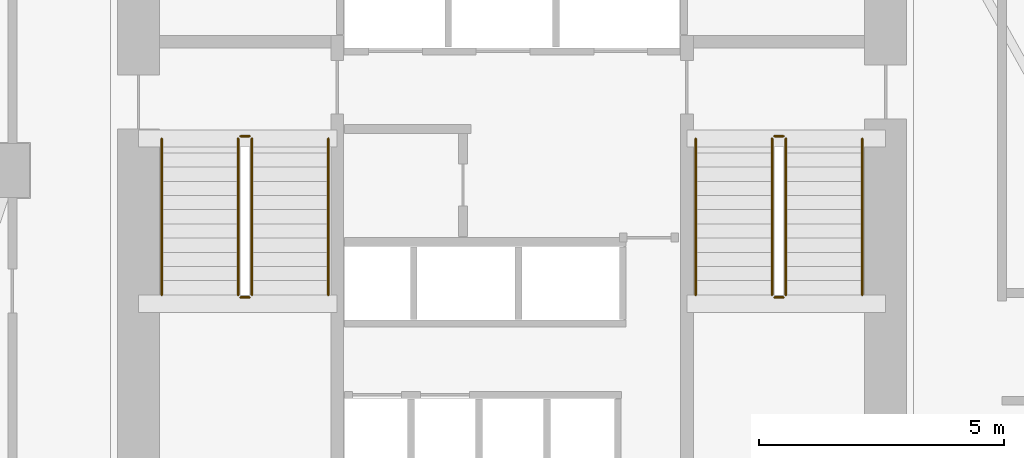
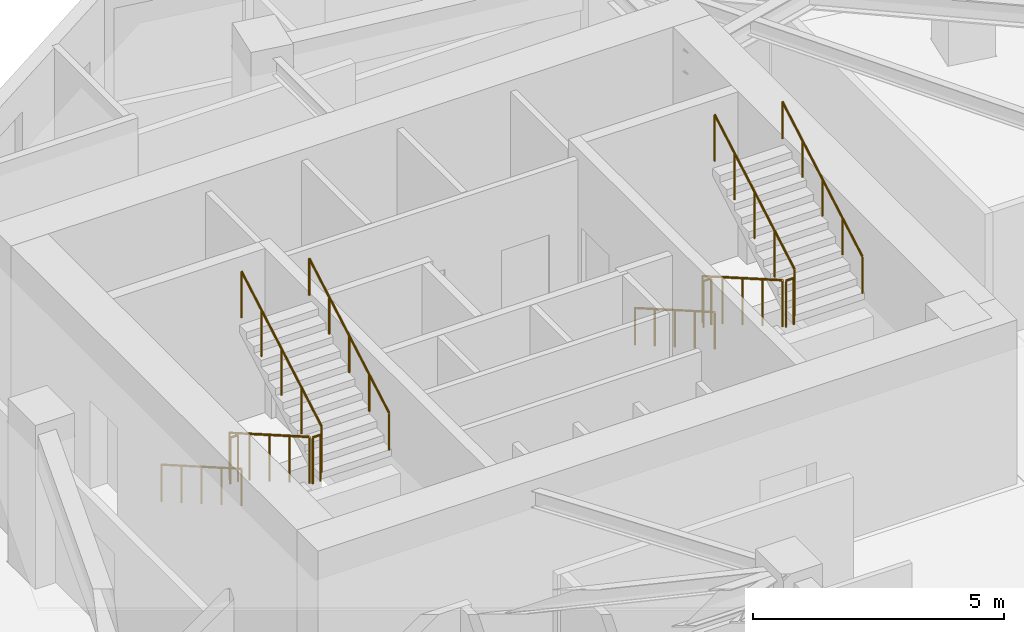
# One storey, part 11 of 12: 12 railings.
"""IFC4 building model written with IfcOpenShell, lengths in metres."""

from ifc_helpers import new_model, si_unit, direction, frame, origin, origin_2d, place, context, subcontext, project, spatial, circle, extrude, material, type_object, element, save


model = new_model("IFC4")

# Units and contexts
model_context = context("Model", 3, precision=1e-05, world=origin(), true_north=direction((0.0, 1.0)))
body_context = subcontext(model_context, "Body", "Model", "MODEL_VIEW")
ifc_project = project(units=[si_unit("LENGTHUNIT", "METRE"), si_unit("AREAUNIT", "SQUARE_METRE"), si_unit("VOLUMEUNIT", "CUBIC_METRE"), si_unit("PLANEANGLEUNIT", "RADIAN"), si_unit("MASSUNIT", "GRAM", prefix="KILO")], contexts=[model_context])

# Site, building, storey
site_placement = place(None, origin())
site = spatial("IfcSite", under=ifc_project, at=site_placement, CompositionType="ELEMENT")
building_placement = place(site_placement, origin())
building = spatial("IfcBuilding", under=site, at=building_placement, Name="Calvemar Wedge Station Tower", CompositionType="ELEMENT")
storey_placement = place(building_placement, frame((0.0, 0.0, 51.0)))
storey = spatial("IfcBuildingStorey", under=building, at=storey_placement, Name="L12", CompositionType="ELEMENT", Elevation=51.0)

# Railings
ifc_material_1 = material(Name="Stainless steel AISI 316L", Category="steel")
railing_type_1 = type_object("IfcRailingType", Name="RL-HANDRAIL-920", PredefinedType="HANDRAIL", material=ifc_material_1)
railing_1_placement = place(storey_placement, frame((16.64990234375, 41.14990234375, 0.166748046875)))
element("IfcRailing", 1, at=railing_1_placement, inside=storey, type_object=railing_type_1, Name="L12 ST-C1 stair handrail 1", PredefinedType="HANDRAIL", context=body_context, shape_type="SweptSolid", body=[
    extrude(circle(Radius=0.02392578125, at=origin_2d()), frame((0.0, 0.0, 0.89599609375), z_axis=(0.0, -0.867019545617, 0.498274128887), x_axis=(1.0, 0.0, 0.0)), (0.0, 0.0, 1.0), 3.67919921875),
    extrude(circle(Radius=0.02099609375, at=origin_2d()), origin(), (0.0, 0.0, 1.0), 0.871826171875),
    extrude(circle(Radius=0.02099609375, at=origin_2d()), frame((0.0, -0.79736328125, 0.458251953125)), (0.0, 0.0, 1.0), 0.871826171875),
    extrude(circle(Radius=0.02099609375, at=origin_2d()), frame((0.0, -1.594970703125, 0.91650390625)), (0.0, 0.0, 1.0), 0.871826171875),
    extrude(circle(Radius=0.02099609375, at=origin_2d()), frame((0.0, -2.392578125, 1.375)), (0.0, 0.0, 1.0), 0.871826171875),
    extrude(circle(Radius=0.02099609375, at=origin_2d()), frame((0.0, -3.18994140625, 1.833251953125)), (0.0, 0.0, 1.0), 0.871826171875),
])
railing_2_placement = place(storey_placement, frame((20.050048828125, 37.9599609375, 2.166748046875)))
element("IfcRailing", 2, at=railing_2_placement, inside=storey, type_object=railing_type_1, Name="L12 ST-C1 stair handrail 2", PredefinedType="HANDRAIL", context=body_context, shape_type="SweptSolid", body=[
    extrude(circle(Radius=0.02392578125, at=origin_2d()), frame((0.0, 0.0, 0.89599609375), z_axis=(0.0, 0.867019545617, 0.498274128887), x_axis=(-1.0, 0.0, 0.0)), (0.0, 0.0, 1.0), 3.67919921875),
    extrude(circle(Radius=0.02099609375, at=origin_2d()), origin(), (0.0, 0.0, 1.0), 0.871826171875),
    extrude(circle(Radius=0.02099609375, at=origin_2d()), frame((0.0, 0.79736328125, 0.458251953125)), (0.0, 0.0, 1.0), 0.871826171875),
    extrude(circle(Radius=0.02099609375, at=origin_2d()), frame((0.0, 1.594970703125, 0.91650390625)), (0.0, 0.0, 1.0), 0.871826171875),
    extrude(circle(Radius=0.02099609375, at=origin_2d()), frame((0.0, 2.392578125, 1.375)), (0.0, 0.0, 1.0), 0.871826171875),
    extrude(circle(Radius=0.02099609375, at=origin_2d()), frame((0.0, 3.18994140625, 1.833251953125)), (0.0, 0.0, 1.0), 0.871826171875),
])
railing_3_placement = place(storey_placement, frame((27.550048828125, 41.14990234375, 0.166748046875)))
element("IfcRailing", 3, at=railing_3_placement, inside=storey, type_object=railing_type_1, Name="L12 ST-C2 stair handrail 1", PredefinedType="HANDRAIL", context=body_context, shape_type="SweptSolid", body=[
    extrude(circle(Radius=0.02392578125, at=origin_2d()), frame((0.0, 0.0, 0.89599609375), z_axis=(0.0, -0.867019545617, 0.498274128887), x_axis=(1.0, 0.0, 0.0)), (0.0, 0.0, 1.0), 3.67919921875),
    extrude(circle(Radius=0.02099609375, at=origin_2d()), origin(), (0.0, 0.0, 1.0), 0.871826171875),
    extrude(circle(Radius=0.02099609375, at=origin_2d()), frame((0.0, -0.79736328125, 0.458251953125)), (0.0, 0.0, 1.0), 0.871826171875),
    extrude(circle(Radius=0.02099609375, at=origin_2d()), frame((0.0, -1.594970703125, 0.91650390625)), (0.0, 0.0, 1.0), 0.871826171875),
    extrude(circle(Radius=0.02099609375, at=origin_2d()), frame((0.0, -2.392578125, 1.375)), (0.0, 0.0, 1.0), 0.871826171875),
    extrude(circle(Radius=0.02099609375, at=origin_2d()), frame((0.0, -3.18994140625, 1.833251953125)), (0.0, 0.0, 1.0), 0.871826171875),
])
railing_4_placement = place(storey_placement, frame((30.949951171875, 37.9599609375, 2.166748046875)))
element("IfcRailing", 4, at=railing_4_placement, inside=storey, type_object=railing_type_1, Name="L12 ST-C2 stair handrail 2", PredefinedType="HANDRAIL", context=body_context, shape_type="SweptSolid", body=[
    extrude(circle(Radius=0.02392578125, at=origin_2d()), frame((0.0, 0.0, 0.89599609375), z_axis=(0.0, 0.867019545617, 0.498274128887), x_axis=(-1.0, 0.0, 0.0)), (0.0, 0.0, 1.0), 3.67919921875),
    extrude(circle(Radius=0.02099609375, at=origin_2d()), origin(), (0.0, 0.0, 1.0), 0.871826171875),
    extrude(circle(Radius=0.02099609375, at=origin_2d()), frame((0.0, 0.79736328125, 0.458251953125)), (0.0, 0.0, 1.0), 0.871826171875),
    extrude(circle(Radius=0.02099609375, at=origin_2d()), frame((0.0, 1.594970703125, 0.91650390625)), (0.0, 0.0, 1.0), 0.871826171875),
    extrude(circle(Radius=0.02099609375, at=origin_2d()), frame((0.0, 2.392578125, 1.375)), (0.0, 0.0, 1.0), 0.871826171875),
    extrude(circle(Radius=0.02099609375, at=origin_2d()), frame((0.0, 3.18994140625, 1.833251953125)), (0.0, 0.0, 1.0), 0.871826171875),
])
ifc_material_2 = material(Name="Painted steel guardrail ASTM A500 Grade C", Category="steel")
railing_type_2 = type_object("IfcRailingType", Name="RL-STAIR-GUARD-1150", PredefinedType="GUARDRAIL", material=ifc_material_2)
railing_5_placement = place(storey_placement, frame((18.2099609375, 41.14990234375, 0.166748046875)))
element("IfcRailing", 5, at=railing_5_placement, inside=storey, type_object=railing_type_2, Name="L12 ST-C1 stair guard 1", PredefinedType="GUARDRAIL", context=body_context, shape_type="SweptSolid", body=[
    extrude(circle(Radius=0.02392578125, at=origin_2d()), frame((0.0, 0.0, 1.1259765625), z_axis=(0.0, -0.867019545617, 0.498274128887), x_axis=(1.0, 0.0, 0.0)), (0.0, 0.0, 1.0), 3.67919921875),
    extrude(circle(Radius=0.02099609375, at=origin_2d()), origin(), (0.0, 0.0, 1.0), 1.101806640625),
    extrude(circle(Radius=0.02099609375, at=origin_2d()), frame((0.0, -0.79736328125, 0.458251953125)), (0.0, 0.0, 1.0), 1.101806640625),
    extrude(circle(Radius=0.02099609375, at=origin_2d()), frame((0.0, -1.594970703125, 0.91650390625)), (0.0, 0.0, 1.0), 1.101806640625),
    extrude(circle(Radius=0.02099609375, at=origin_2d()), frame((0.0, -2.392578125, 1.375)), (0.0, 0.0, 1.0), 1.101806640625),
    extrude(circle(Radius=0.02099609375, at=origin_2d()), frame((0.0, -3.18994140625, 1.833251953125)), (0.0, 0.0, 1.0), 1.101806640625),
])
railing_6_placement = place(storey_placement, frame((18.260009765625, 37.909912109375, 2.0)))
element("IfcRailing", 6, at=railing_6_placement, inside=storey, type_object=railing_type_2, Name="L12 ST-C1 stair guard 2", PredefinedType="GUARDRAIL", context=body_context, shape_type="SweptSolid", body=[
    extrude(circle(Radius=0.02392578125, at=origin_2d()), frame((0.0, 0.0, 1.1259765625), z_axis=(1.0, 0.0, 0.0), x_axis=(0.0, 1.0, 0.0)), (0.0, 0.0, 1.0), 0.179931640625),
    extrude(circle(Radius=0.02099609375, at=origin_2d()), origin(), (0.0, 0.0, 1.0), 1.101806640625),
    extrude(circle(Radius=0.02099609375, at=origin_2d()), frame((0.179931640625, 0.0, 0.0)), (0.0, 0.0, 1.0), 1.101806640625),
])
railing_7_placement = place(storey_placement, frame((18.489990234375, 37.9599609375, 2.166748046875)))
element("IfcRailing", 7, at=railing_7_placement, inside=storey, type_object=railing_type_2, Name="L12 ST-C1 stair guard 3", PredefinedType="GUARDRAIL", context=body_context, shape_type="SweptSolid", body=[
    extrude(circle(Radius=0.02392578125, at=origin_2d()), frame((0.0, 0.0, 1.1259765625), z_axis=(0.0, 0.867019545617, 0.498274128887), x_axis=(-1.0, 0.0, 0.0)), (0.0, 0.0, 1.0), 3.67919921875),
    extrude(circle(Radius=0.02099609375, at=origin_2d()), origin(), (0.0, 0.0, 1.0), 1.101806640625),
    extrude(circle(Radius=0.02099609375, at=origin_2d()), frame((0.0, 0.79736328125, 0.458251953125)), (0.0, 0.0, 1.0), 1.101806640625),
    extrude(circle(Radius=0.02099609375, at=origin_2d()), frame((0.0, 1.594970703125, 0.91650390625)), (0.0, 0.0, 1.0), 1.101806640625),
    extrude(circle(Radius=0.02099609375, at=origin_2d()), frame((0.0, 2.392578125, 1.375)), (0.0, 0.0, 1.0), 1.101806640625),
    extrude(circle(Radius=0.02099609375, at=origin_2d()), frame((0.0, 3.18994140625, 1.833251953125)), (0.0, 0.0, 1.0), 1.101806640625),
])
railing_8_placement = place(storey_placement, frame((18.260009765625, 41.199951171875, 0.0)))
element("IfcRailing", 8, at=railing_8_placement, inside=storey, type_object=railing_type_2, Name="L12 ST-C1 stair guard 4", PredefinedType="GUARDRAIL", context=body_context, shape_type="SweptSolid", body=[
    extrude(circle(Radius=0.02392578125, at=origin_2d()), frame((0.0, 0.0, 1.1259765625), z_axis=(1.0, 0.0, 0.0), x_axis=(0.0, 1.0, 0.0)), (0.0, 0.0, 1.0), 0.179931640625),
    extrude(circle(Radius=0.02099609375, at=origin_2d()), origin(), (0.0, 0.0, 1.0), 1.101806640625),
    extrude(circle(Radius=0.02099609375, at=origin_2d()), frame((0.179931640625, 0.0, 0.0)), (0.0, 0.0, 1.0), 1.101806640625),
])
railing_9_placement = place(storey_placement, frame((29.110107421875, 41.14990234375, 0.166748046875)))
element("IfcRailing", 9, at=railing_9_placement, inside=storey, type_object=railing_type_2, Name="L12 ST-C2 stair guard 1", PredefinedType="GUARDRAIL", context=body_context, shape_type="SweptSolid", body=[
    extrude(circle(Radius=0.02392578125, at=origin_2d()), frame((0.0, 0.0, 1.1259765625), z_axis=(0.0, -0.867019545617, 0.498274128887), x_axis=(1.0, 0.0, 0.0)), (0.0, 0.0, 1.0), 3.67919921875),
    extrude(circle(Radius=0.02099609375, at=origin_2d()), origin(), (0.0, 0.0, 1.0), 1.101806640625),
    extrude(circle(Radius=0.02099609375, at=origin_2d()), frame((0.0, -0.79736328125, 0.458251953125)), (0.0, 0.0, 1.0), 1.101806640625),
    extrude(circle(Radius=0.02099609375, at=origin_2d()), frame((0.0, -1.594970703125, 0.91650390625)), (0.0, 0.0, 1.0), 1.101806640625),
    extrude(circle(Radius=0.02099609375, at=origin_2d()), frame((0.0, -2.392578125, 1.375)), (0.0, 0.0, 1.0), 1.101806640625),
    extrude(circle(Radius=0.02099609375, at=origin_2d()), frame((0.0, -3.18994140625, 1.833251953125)), (0.0, 0.0, 1.0), 1.101806640625),
])
railing_10_placement = place(storey_placement, frame((29.159912109375, 37.909912109375, 2.0)))
element("IfcRailing", 10, at=railing_10_placement, inside=storey, type_object=railing_type_2, Name="L12 ST-C2 stair guard 2", PredefinedType="GUARDRAIL", context=body_context, shape_type="SweptSolid", body=[
    extrude(circle(Radius=0.02392578125, at=origin_2d()), frame((0.0, 0.0, 1.1259765625), z_axis=(1.0, 0.0, 0.0), x_axis=(0.0, 1.0, 0.0)), (0.0, 0.0, 1.0), 0.18017578125),
    extrude(circle(Radius=0.02099609375, at=origin_2d()), origin(), (0.0, 0.0, 1.0), 1.101806640625),
    extrude(circle(Radius=0.02099609375, at=origin_2d()), frame((0.18017578125, 0.0, 0.0)), (0.0, 0.0, 1.0), 1.101806640625),
])
railing_11_placement = place(storey_placement, frame((29.389892578125, 37.9599609375, 2.166748046875)))
element("IfcRailing", 11, at=railing_11_placement, inside=storey, type_object=railing_type_2, Name="L12 ST-C2 stair guard 3", PredefinedType="GUARDRAIL", context=body_context, shape_type="SweptSolid", body=[
    extrude(circle(Radius=0.02392578125, at=origin_2d()), frame((0.0, 0.0, 1.1259765625), z_axis=(0.0, 0.867019545617, 0.498274128887), x_axis=(-1.0, 0.0, 0.0)), (0.0, 0.0, 1.0), 3.67919921875),
    extrude(circle(Radius=0.02099609375, at=origin_2d()), origin(), (0.0, 0.0, 1.0), 1.101806640625),
    extrude(circle(Radius=0.02099609375, at=origin_2d()), frame((0.0, 0.79736328125, 0.458251953125)), (0.0, 0.0, 1.0), 1.101806640625),
    extrude(circle(Radius=0.02099609375, at=origin_2d()), frame((0.0, 1.594970703125, 0.91650390625)), (0.0, 0.0, 1.0), 1.101806640625),
    extrude(circle(Radius=0.02099609375, at=origin_2d()), frame((0.0, 2.392578125, 1.375)), (0.0, 0.0, 1.0), 1.101806640625),
    extrude(circle(Radius=0.02099609375, at=origin_2d()), frame((0.0, 3.18994140625, 1.833251953125)), (0.0, 0.0, 1.0), 1.101806640625),
])
railing_12_placement = place(storey_placement, frame((29.159912109375, 41.199951171875, 0.0)))
element("IfcRailing", 12, at=railing_12_placement, inside=storey, type_object=railing_type_2, Name="L12 ST-C2 stair guard 4", PredefinedType="GUARDRAIL", context=body_context, shape_type="SweptSolid", body=[
    extrude(circle(Radius=0.02392578125, at=origin_2d()), frame((0.0, 0.0, 1.1259765625), z_axis=(1.0, 0.0, 0.0), x_axis=(0.0, 1.0, 0.0)), (0.0, 0.0, 1.0), 0.18017578125),
    extrude(circle(Radius=0.02099609375, at=origin_2d()), origin(), (0.0, 0.0, 1.0), 1.101806640625),
    extrude(circle(Radius=0.02099609375, at=origin_2d()), frame((0.18017578125, 0.0, 0.0)), (0.0, 0.0, 1.0), 1.101806640625),
])

save(model, "model.ifc")
